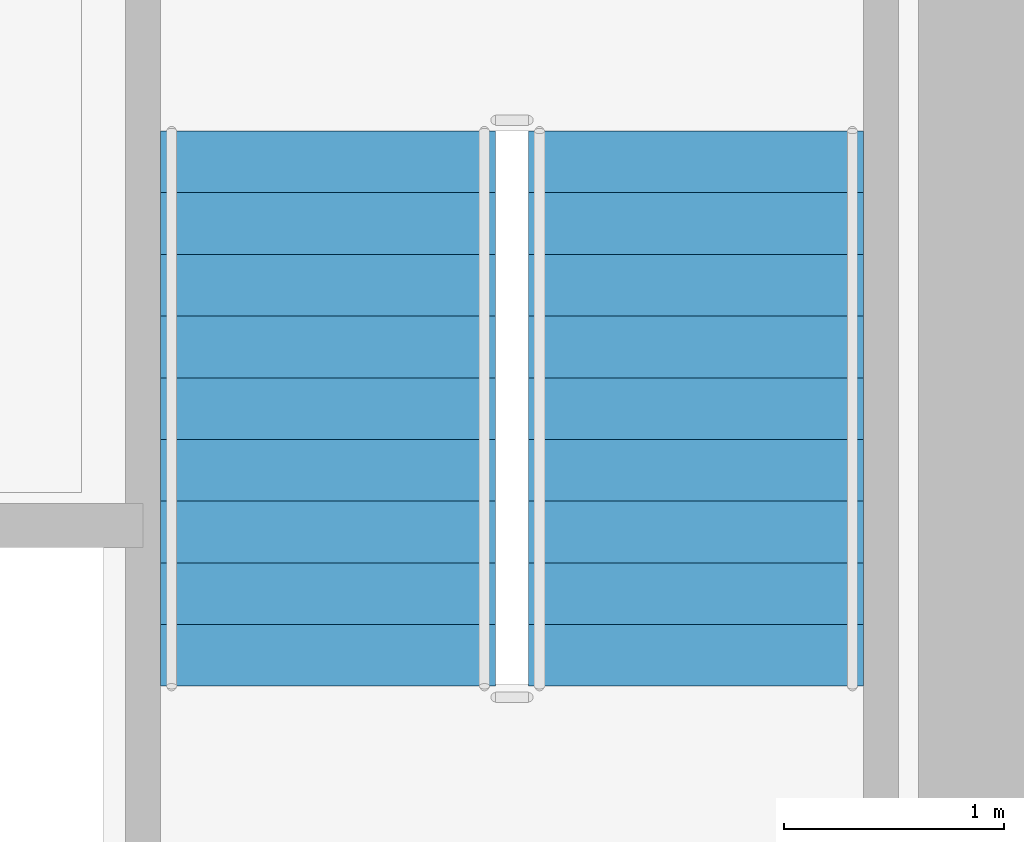
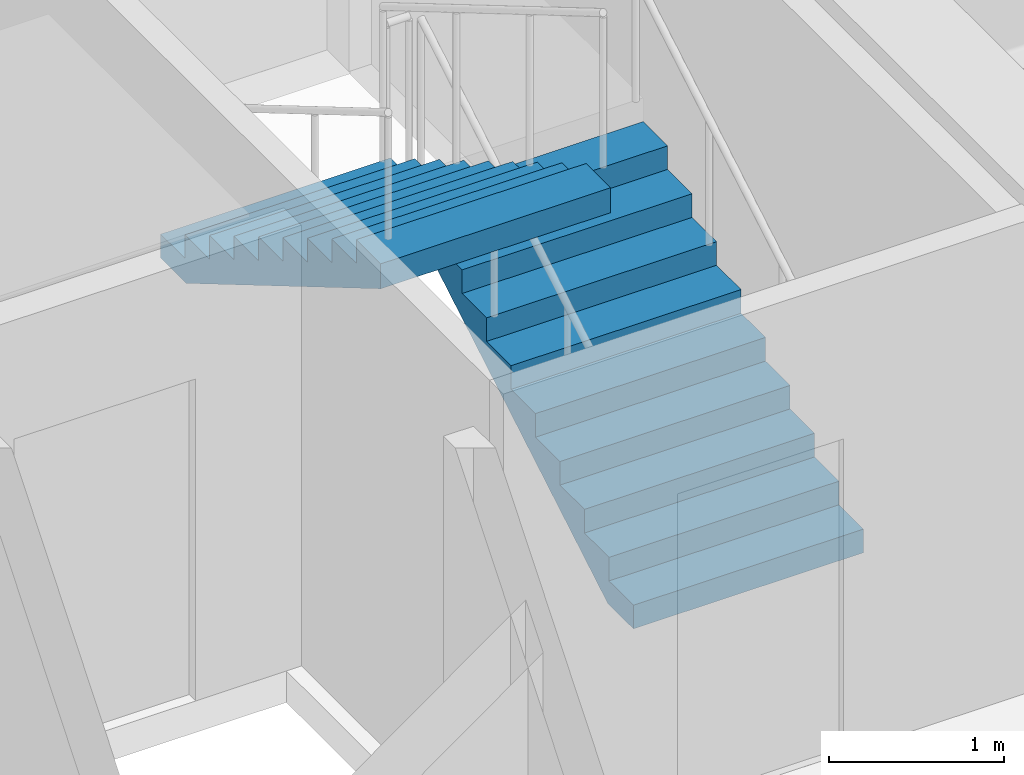
# One storey, part 34 of 36: 2 stair flights, 1 element without a shape of its own.
"""IFC4 building model written with IfcOpenShell, lengths in metres."""

from ifc_helpers import new_model, si_unit, direction, frame, origin, place, context, subcontext, project, spatial, polyline, outline, extrude, material, type_object, element, aggregate, save


model = new_model("IFC4")

# Units and contexts
model_context = context("Model", 3, precision=1e-05, world=origin(), true_north=direction((0.0, 1.0)))
body_context = subcontext(model_context, "Body", "Model", "MODEL_VIEW")
ifc_project = project(units=[si_unit("LENGTHUNIT", "METRE"), si_unit("AREAUNIT", "SQUARE_METRE"), si_unit("VOLUMEUNIT", "CUBIC_METRE"), si_unit("PLANEANGLEUNIT", "RADIAN"), si_unit("MASSUNIT", "GRAM", prefix="KILO")], contexts=[model_context])

# Site, building, storey
site_placement = place(None, origin())
site = spatial("IfcSite", under=ifc_project, at=site_placement, CompositionType="ELEMENT")
building_placement = place(site_placement, origin())
building = spatial("IfcBuilding", under=site, at=building_placement, Name="Kolvaren Belvedere", CompositionType="ELEMENT")
storey_placement = place(building_placement, frame((0.0, 0.0, 92.0)))
storey = spatial("IfcBuildingStorey", under=building, at=storey_placement, Name="L26", CompositionType="ELEMENT", Elevation=92.0)

# Stair, stair flights
ifc_material_1 = material(Name="Concrete C50/60", Category="concrete")
stair_type = type_object("IfcStairType", Name="ST-CORE-1520", PredefinedType="HALF_TURN_STAIR", material=ifc_material_1)
stair_placement = place(storey_placement, origin())
stair = element("IfcStair", 1, at=stair_placement, inside=storey, type_object=stair_type, Name="L26 Protected Exit Stair ST-2", PredefinedType="HALF_TURN_STAIR")
ifc_material_2 = material(Name="Concrete C50/60", Category="concrete")
stair_flight_type = type_object("IfcStairFlightType", Name="SF-STR-1520", PredefinedType="STRAIGHT", material=ifc_material_2)
stair_flight_1_placement = place(storey_placement, frame((8.590087890625, 3.570068359375, 0.0), z_axis=(0.0, 0.0, 1.0), x_axis=(0.0, 1.0, 0.0)))
stair_flight_1 = element("IfcStairFlight", 2, at=stair_flight_1_placement, type_object=stair_flight_type, Name="ST-2 flight 1", NumberOfRisers=10, NumberOfTreads=9, PredefinedType="STRAIGHT", RiserHeight=0.165, TreadLength=0.28, context=body_context, shape_type="SweptSolid", body=[
    extrude(outline(polyline([(0.0, 0.0), (0.0, 0.1650390625), (0.280029296875, 0.1650390625), (0.280029296875, 0.330078125), (0.56005859375, 0.330078125), (0.56005859375, 0.4951171875), (0.840087890625, 0.4951171875), (0.840087890625, 0.659912109375), (1.1201171875, 0.659912109375), (1.1201171875, 0.824951171875), (1.39990234375, 0.824951171875), (1.39990234375, 0.989990234375), (1.679931640625, 0.989990234375), (1.679931640625, 1.155029296875), (1.9599609375, 1.155029296875), (1.9599609375, 1.320068359375), (2.239990234375, 1.320068359375), (2.239990234375, 1.485107421875), (2.52001953125, 1.485107421875), (2.52001953125, 1.64990234375), (2.52001953125, 1.31103515625), (0.295166015625, 0.0), (0.0, 0.0)])), frame((0.0, 0.760009765625, 0.0), z_axis=(0.0, -1.0, 0.0), x_axis=(1.0, 0.0, 0.0)), (0.0, 0.0, 1.0), 1.52001953125),
])
stair_flight_2_placement = place(storey_placement, frame((6.919921875, 6.090087890625, 1.64990234375), z_axis=(0.0, 0.0, 1.0), x_axis=(0.0, -1.0, 0.0)))
stair_flight_2 = element("IfcStairFlight", 3, at=stair_flight_2_placement, type_object=stair_flight_type, Name="ST-2 flight 2", NumberOfRisers=10, NumberOfTreads=9, PredefinedType="STRAIGHT", RiserHeight=0.165, TreadLength=0.28, context=body_context, shape_type="SweptSolid", body=[
    extrude(outline(polyline([(0.0, 0.0), (0.0, 0.1650390625), (0.280029296875, 0.1650390625), (0.280029296875, 0.330078125), (0.56005859375, 0.330078125), (0.56005859375, 0.4951171875), (0.840087890625, 0.4951171875), (0.840087890625, 0.659912109375), (1.1201171875, 0.659912109375), (1.1201171875, 0.824951171875), (1.39990234375, 0.824951171875), (1.39990234375, 0.989990234375), (1.679931640625, 0.989990234375), (1.679931640625, 1.155029296875), (1.9599609375, 1.155029296875), (1.9599609375, 1.320068359375), (2.239990234375, 1.320068359375), (2.239990234375, 1.485107421875), (2.52001953125, 1.485107421875), (2.52001953125, 1.64990234375), (2.52001953125, 1.31103515625), (0.295166015625, 0.0), (0.0, 0.0)])), frame((0.0, 0.760009765625, 0.0), z_axis=(0.0, -1.0, 0.0), x_axis=(1.0, 0.0, 0.0)), (0.0, 0.0, 1.0), 1.52001953125),
])
aggregate(stair, [stair_flight_1, stair_flight_2])

save(model, "model.ifc")
